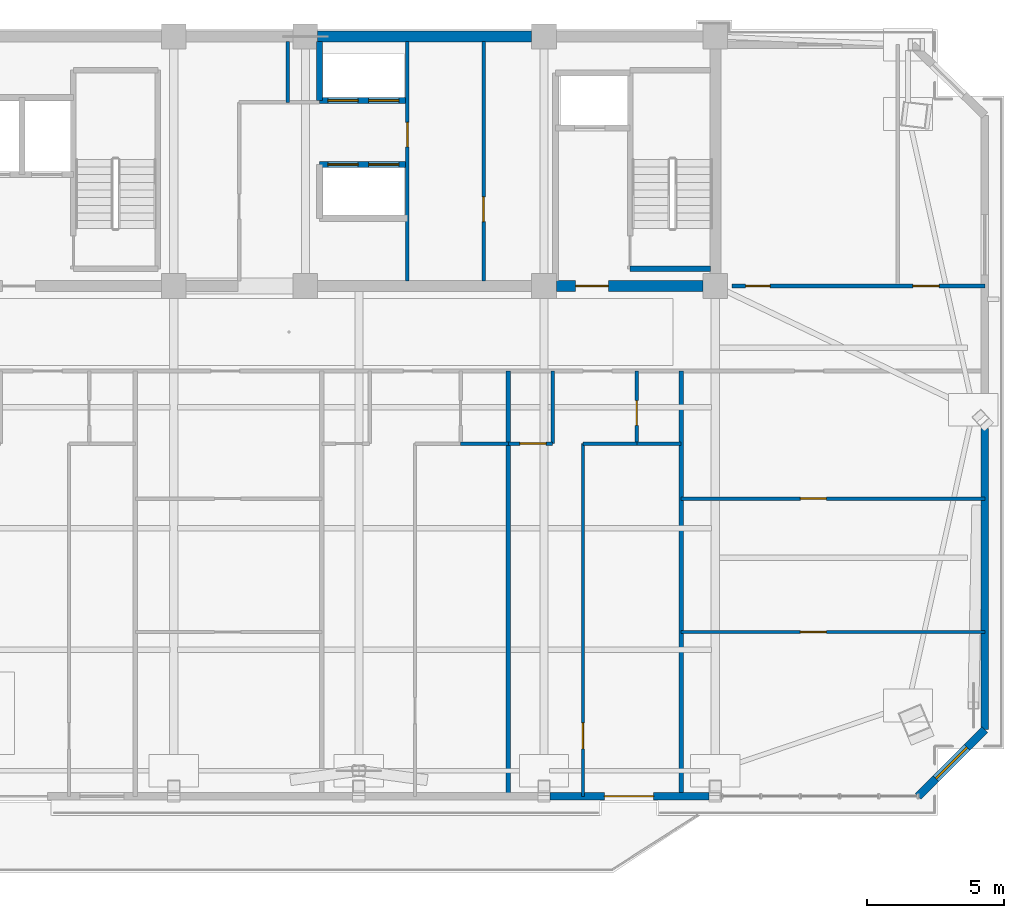
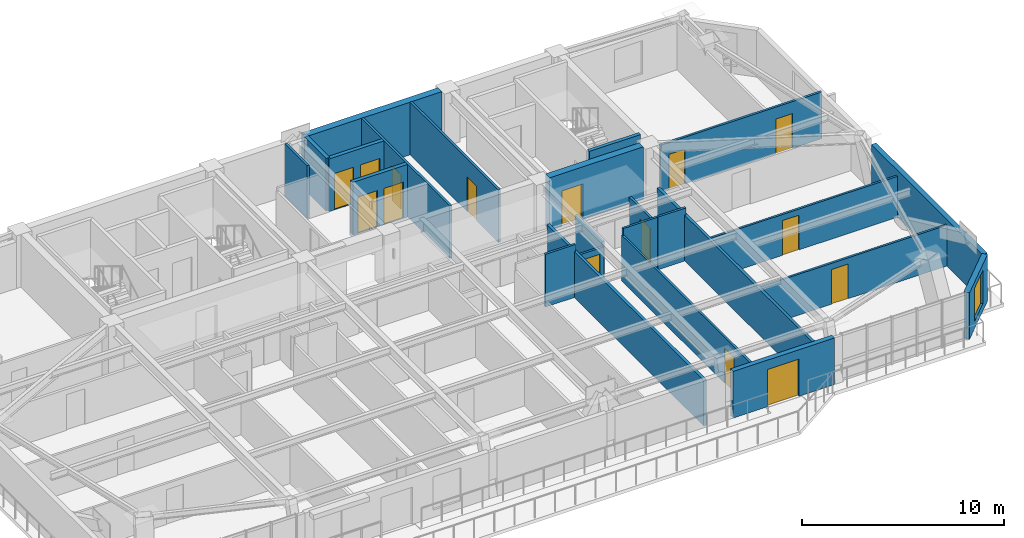
# One storey, part 9 of 15: 24 walls, 15 doors, 1 window, 16 openings.
"""IFC4 building model written with IfcOpenShell, lengths in metres."""

import ifcopenshell
import ifcopenshell.guid

model = None  # the IFC model being written
_history = None  # IfcOwnerHistory: only IFC2X3 demands one
_inside = {}  # id of a spatial element -> (the spatial element, [elements in it])
_under = {}  # id of a project, library or spatial element -> (it, [spatial elements below it])
_declared = {}  # id of a project -> (the project, [libraries it declares])
_typed = {}  # id of a type object -> (the type object, [elements of that type])
_made_of = {}  # id of a material, layer set ... -> (it, [elements and type objects made of it])


def new_model(schema):
    """Start an empty IFC model of exactly this schema.

    Asked for "IFC4X3", IfcOpenShell would pick the latest addendum, in which some entities
    have other attributes; the version numbers below select the first issue.
    IFC2X3 requires an IfcOwnerHistory on every rooted entity: one is made here for all.
    """
    global model, _history
    if schema == "IFC4X3":
        model = ifcopenshell.file(schema_version=(4, 3, 0, 0))
    else:
        model = ifcopenshell.file(schema=schema)
    _inside.clear()
    _under.clear()
    _declared.clear()
    _typed.clear()
    _made_of.clear()
    _history = None
    if model.schema == "IFC2X3":
        org = make("IfcOrganization", Name="unknown")
        user = make(
            "IfcPersonAndOrganization",
            ThePerson=make("IfcPerson", FamilyName="unknown"),
            TheOrganization=org,
        )
        app = make(
            "IfcApplication",
            ApplicationDeveloper=org,
            Version="unknown",
            ApplicationFullName="unknown",
            ApplicationIdentifier="unknown",
        )
        _history = make(
            "IfcOwnerHistory",
            OwningUser=user,
            OwningApplication=app,
            ChangeAction="ADDED",
            CreationDate=0,
        )
    return model


def make(cls, **values):
    """One entity of the class cls with the attributes given. An attribute that is None is left unset."""
    return model.create_entity(
        cls, **{name: value for name, value in values.items() if value is not None}
    )


def rooted(cls, **values):
    """An entity with a GlobalId (a new one), such as an element, a storey or a relation."""
    return make(cls, GlobalId=ifcopenshell.guid.new(), OwnerHistory=_history, **values)


def si_unit(unit_type, name, prefix=None):
    """IfcSIUnit, for example si_unit("LENGTHUNIT", "METRE", prefix="MILLI")."""
    return make("IfcSIUnit", UnitType=unit_type, Prefix=prefix, Name=name)


def assignment(units):
    """IfcUnitAssignment: the units of a project."""
    return None if units is None else make("IfcUnitAssignment", Units=units)


def point(xyz):
    """IfcCartesianPoint."""
    return None if xyz is None else make("IfcCartesianPoint", Coordinates=xyz)


def direction(xyz):
    """IfcDirection."""
    return None if xyz is None else make("IfcDirection", DirectionRatios=xyz)


def frame(location, z_axis=None, x_axis=None):
    """IfcAxis2Placement3D, a coordinate frame: its origin and axes. An axis left out is left unset."""
    return make(
        "IfcAxis2Placement3D",
        Location=point(location),
        Axis=direction(z_axis),
        RefDirection=direction(x_axis),
    )


def frame_2d(location, x_axis=None):
    """IfcAxis2Placement2D, a coordinate frame in the plane: its origin and x axis."""
    return make(
        "IfcAxis2Placement2D", Location=point(location), RefDirection=direction(x_axis)
    )


def origin():
    """The frame at (0, 0, 0) with its axes left unset."""
    return frame((0.0, 0.0, 0.0))


def place(relative_to, where):
    """IfcLocalPlacement: puts the frame where relative to a parent placement (None: the world)."""
    return make(
        "IfcLocalPlacement", PlacementRelTo=relative_to, RelativePlacement=where
    )


def context(
    kind, dimensions, precision=None, world=None, true_north=None, identifier=None
):
    """IfcGeometricRepresentationContext, for example the 3D "Model" context."""
    return make(
        "IfcGeometricRepresentationContext",
        ContextIdentifier=identifier,
        ContextType=kind,
        CoordinateSpaceDimension=dimensions,
        Precision=precision,
        WorldCoordinateSystem=world,
        TrueNorth=true_north,
    )


def subcontext(parent, identifier, kind, view, scale=None):
    """IfcGeometricRepresentationSubContext, for example "Body" below "Model"."""
    return make(
        "IfcGeometricRepresentationSubContext",
        ContextIdentifier=identifier,
        ContextType=kind,
        ParentContext=parent,
        TargetScale=scale,
        TargetView=view,
    )


def project(units=None, contexts=None):
    """IfcProject with its units and contexts."""
    return rooted(
        "IfcProject",
        Name="project",
        RepresentationContexts=contexts,
        UnitsInContext=assignment(units),
    )


def spatial(cls, under=None, at=None, **own):
    """A site, building, storey or space (cls), placed at a placement, below another one or the project."""
    s = rooted(cls, ObjectPlacement=at, **own)
    if under is not None:
        _under.setdefault(under.id(), (under, []))[1].append(s)
    return s


def profile(cls, at=None, kind="AREA", **sizes):
    """A parametric profile (cls). Its sizes go by their IFC names, for example OverallWidth=200.0."""
    return make(cls, ProfileType=kind, Position=at, **sizes)


def rectangle(**sizes):
    """IfcRectangleProfileDef."""
    return profile("IfcRectangleProfileDef", **sizes)


def extrude(swept, where, along, depth):
    """IfcExtrudedAreaSolid: the profile swept, set in the frame where, extruded along a direction by depth."""
    return make(
        "IfcExtrudedAreaSolid",
        SweptArea=swept,
        Position=where,
        ExtrudedDirection=direction(along),
        Depth=depth,
    )


def shape(context_of_items, identifier, shape_type, items):
    """IfcShapeRepresentation: the items that make up one representation, for example the "Body"."""
    return make(
        "IfcShapeRepresentation",
        ContextOfItems=context_of_items,
        RepresentationIdentifier=identifier,
        RepresentationType=shape_type,
        Items=items,
    )


def source(mapping_origin, context_of_items, identifier, shape_type, items):
    """IfcRepresentationMap: a shape defined once, which mapped items show again and again."""
    return make(
        "IfcRepresentationMap",
        MappingOrigin=mapping_origin,
        MappedRepresentation=shape(context_of_items, identifier, shape_type, items),
    )


def transform(
    local_origin,
    x_axis=None,
    y_axis=None,
    z_axis=None,
    scale=None,
    scale2=None,
    scale3=None,
    uniform=True,
):
    """IfcCartesianTransformationOperator3D, or its non-uniform kind. x_axis, y_axis, z_axis: its Axis1, 2, 3."""
    if uniform:
        return make(
            "IfcCartesianTransformationOperator3D",
            Axis1=direction(x_axis),
            Axis2=direction(y_axis),
            LocalOrigin=point(local_origin),
            Scale=scale,
            Axis3=direction(z_axis),
        )
    return make(
        "IfcCartesianTransformationOperator3DnonUniform",
        Axis1=direction(x_axis),
        Axis2=direction(y_axis),
        LocalOrigin=point(local_origin),
        Scale=scale,
        Axis3=direction(z_axis),
        Scale2=scale2,
        Scale3=scale3,
    )


def mapped(mapping_source, mapping_target):
    """IfcMappedItem: shows the shape of a source again, moved by a transform."""
    return make(
        "IfcMappedItem", MappingSource=mapping_source, MappingTarget=mapping_target
    )


def material(Name=None, Category=None):
    """IfcMaterial."""
    return make("IfcMaterial", Name=Name, Category=Category)


def layer(
    of_material, thickness, ventilated=None, Name=None, Category=None, Priority=None
):
    """IfcMaterialLayer: one layer of a wall or slab, of a material (None: an air gap)."""
    return make(
        "IfcMaterialLayer",
        Material=of_material,
        LayerThickness=thickness,
        IsVentilated=ventilated,
        Name=Name,
        Category=Category,
        Priority=Priority,
    )


def layer_set(layers, Name=None):
    """IfcMaterialLayerSet."""
    return make("IfcMaterialLayerSet", MaterialLayers=layers, LayerSetName=Name)


def made_of(thing, what):
    """Note that an element or type object is made of a material, layer set ...; save() writes the relation."""
    if what is not None:
        _made_of.setdefault(what.id(), (what, []))[1].append(thing)
    return thing


def type_object(cls, material=None, **own):
    """A type object (cls), such as IfcWallType, which elements share."""
    return made_of(rooted(cls, **own), material)


def element(
    cls,
    number,
    at=None,
    inside=None,
    cuts=None,
    type_object=None,
    material=None,
    context=None,
    identifier="Body",
    shape_type=None,
    held_by="IfcProductDefinitionShape",
    body=None,
    shapes=None,
    **own,
):
    """One element of the class cls, such as IfcWall. Its Tag is "e" and its number.

    at: its placement. inside: the storey or other place that contains it. cuts: it is an
    opening in that element (IfcRelVoidsElement). A single representation is given by context,
    identifier, shape_type and body (its items); several are given by shapes. held_by: the class
    of the entity that holds the representations. save() writes the other relations.
    """
    e = rooted(cls, Tag="e%d" % number, ObjectPlacement=at, **own)
    if body is not None:
        shapes = [shape(context, identifier, shape_type, body)]
    if shapes is not None:
        e.Representation = make(held_by, Representations=shapes)
    if inside is not None:
        _inside.setdefault(inside.id(), (inside, []))[1].append(e)
    if cuts is not None:
        rooted(
            "IfcRelVoidsElement", RelatingBuildingElement=cuts, RelatedOpeningElement=e
        )
    if type_object is not None:
        _typed.setdefault(type_object.id(), (type_object, []))[1].append(e)
    return made_of(e, material)


def fill(opening, filler):
    """IfcRelFillsElement: the door or window that sits in an opening."""
    return rooted(
        "IfcRelFillsElement",
        RelatingOpeningElement=opening,
        RelatedBuildingElement=filler,
    )


def aggregate(whole, parts):
    """IfcRelAggregates: a whole, such as a stair, and the parts it consists of."""
    return rooted("IfcRelAggregates", RelatingObject=whole, RelatedObjects=parts)


def save(model, path):
    """Write the relations noted so far, then the file.

    IfcRelAggregates (storeys below a building ...), IfcRelContainedInSpatialStructure (elements
    in a storey), IfcRelDefinesByType, IfcRelAssociatesMaterial and IfcRelDeclares: one each for
    every whole, place, type object, material and project.
    """
    for whole, parts in _under.values():
        aggregate(whole, parts)
    for where, things in _inside.values():
        rooted(
            "IfcRelContainedInSpatialStructure",
            RelatedElements=things,
            RelatingStructure=where,
        )
    for kind, things in _typed.values():
        rooted("IfcRelDefinesByType", RelatedObjects=things, RelatingType=kind)
    for what, things in _made_of.values():
        rooted("IfcRelAssociatesMaterial", RelatedObjects=things, RelatingMaterial=what)
    for by, libraries in _declared.values():
        rooted("IfcRelDeclares", RelatingContext=by, RelatedDefinitions=libraries)
    model.write(path)


model = new_model("IFC4")

# Units and contexts
model_context = context("Model", 3, precision=1e-05, world=origin(), true_north=direction((0.0, 1.0)))
body_context = subcontext(model_context, "Body", "Model", "MODEL_VIEW")
ifc_project = project(units=[si_unit("LENGTHUNIT", "METRE"), si_unit("AREAUNIT", "SQUARE_METRE"), si_unit("VOLUMEUNIT", "CUBIC_METRE"), si_unit("PLANEANGLEUNIT", "RADIAN"), si_unit("MASSUNIT", "GRAM", prefix="KILO")], contexts=[model_context])

# Site, building, storey
site_placement = place(None, origin())
site = spatial("IfcSite", under=ifc_project, at=site_placement, CompositionType="ELEMENT")
building_placement = place(site_placement, origin())
building = spatial("IfcBuilding", under=site, at=building_placement, Name="Giltprow Tower", CompositionType="ELEMENT")
storey_placement = place(building_placement, frame((0.0, 0.0, 300.60009765625)))
storey = spatial("IfcBuildingStorey", under=building, at=storey_placement, Name="L77", CompositionType="ELEMENT", Elevation=300.60009765625)

# Wall, opening, window
ifc_material_1 = material(Name="Precast concrete C40", Category="concrete")
ifc_layer_1 = layer(ifc_material_1, 0.300048828125, Name="Precast concrete C40")
ifc_layer_set_1 = layer_set([ifc_layer_1], Name="Precast concrete C40")
wall_type_1 = type_object("IfcWallType", Name="EW-NOTCH-CHAMFER-300", PredefinedType="SOLIDWALL", material=ifc_layer_set_1)
wall_1_placement = place(storey_placement, frame((57.945068359375, 18.841064453125, 0.0), z_axis=(0.0, 0.0, 1.0), x_axis=(0.707106781187, 0.707106781187, 0.0)))
wall_1 = element("IfcWall", 1, at=wall_1_placement, inside=storey, type_object=wall_type_1, Name="L77 Corner Notch Wall SE", PredefinedType="SOLIDWALL", context=body_context, shape_type="SweptSolid", body=[
    extrude(rectangle(XDim=3.437744140625, YDim=0.300048828125, at=frame_2d((1.71875, 0.0))), origin(), (0.0, 0.0, 1.0), 2.81494140625),
])
opening_1_placement = place(wall_1_placement, frame((0.9189453125, 0.0, 0.449951171875)))
opening_1 = element("IfcOpeningElement", 2, at=opening_1_placement, cuts=wall_1, Name="Opening WN17", PredefinedType="OPENING", context=body_context, shape_type="SweptSolid", body=[
    extrude(rectangle(XDim=1.60009765625, YDim=2.0, at=frame_2d((0.800048828125, 1.0))), frame((0.0, 0.159912109375, 0.0), z_axis=(0.0, -1.0, 0.0), x_axis=(1.0, 0.0, 0.0)), (0.0, 0.0, 1.0), 0.320068359375),
])
ifc_material_2 = material(Name="Insulated glass", Category="glass")
window_type = type_object("IfcWindowType", Name="WN-COR-1600x2000", PartitioningType="SINGLE_PANEL", PredefinedType="WINDOW", material=ifc_material_2)
shared_shape_1 = source(origin(), body_context, "Body", "SweptSolid", [
    extrude(rectangle(XDim=1.60009765625, YDim=2.0, at=frame_2d((0.800048828125, 1.0))), frame((0.0, 0.030029296875, 0.0), z_axis=(0.0, -1.0, 0.0), x_axis=(1.0, 0.0, 0.0)), (0.0, 0.0, 1.0), 0.06005859375),
])
window_placement = place(opening_1_placement, origin())
window = element("IfcWindow", 3, at=window_placement, inside=storey, type_object=window_type, Name="L77 Corner Notch Window SE", OverallHeight=2.0, OverallWidth=1.60009765625, PartitioningType="SINGLE_PANEL", PredefinedType="WINDOW", context=body_context, shape_type="MappedRepresentation", body=[
    mapped(shared_shape_1, transform((0.0, 0.0, 0.0), x_axis=(1.0, 0.0, 0.0), y_axis=(0.0, 1.0, 0.0), z_axis=(0.0, 0.0, 1.0), scale=1.0)),
])
fill(opening_1, window)

# Wall, opening, door
ifc_layer_2 = layer(ifc_material_1, 0.280029296875, Name="Precast concrete C40")
ifc_layer_set_2 = layer_set([ifc_layer_2], Name="Precast concrete C40")
wall_type_2 = type_object("IfcWallType", Name="EW-TOW-BRONZE-280", PredefinedType="SOLIDWALL", material=ifc_layer_set_2)
wall_2_placement = place(storey_placement, frame((44.52490234375, 18.841064453125, 0.0), z_axis=(0.0, 0.0, 1.0), x_axis=(1.0, 0.0, 0.0)))
wall_2 = element("IfcWall", 4, at=wall_2_placement, inside=storey, type_object=wall_type_2, Name="L77 South Expressed Frame Wall 5", PredefinedType="SOLIDWALL", context=body_context, shape_type="SweptSolid", body=[
    extrude(rectangle(XDim=5.800048828125, YDim=0.280029296875, at=frame_2d((2.89990234375, 0.0))), origin(), (0.0, 0.0, 1.0), 2.81494140625),
])
opening_2_placement = place(wall_2_placement, frame((1.97509765625, 0.0, 0.0)))
opening_2 = element("IfcOpeningElement", 5, at=opening_2_placement, cuts=wall_2, Name="Opening ED25", PredefinedType="OPENING", context=body_context, shape_type="SweptSolid", body=[
    extrude(rectangle(XDim=1.800048828125, YDim=2.25, at=frame_2d((0.89990234375, 1.125))), frame((0.0, 0.14990234375, 0.0), z_axis=(0.0, -1.0, 0.0), x_axis=(1.0, 0.0, 0.0)), (0.0, 0.0, 1.0), 0.300048828125),
])
ifc_material_3 = material(Name="Anodized bronze and glass", Category="glass")
door_type_1 = type_object("IfcDoorType", Name="DR-BALC-SLIDE-1800", OperationType="SLIDING_TO_LEFT", PredefinedType="DOOR", material=ifc_material_3)
shared_shape_2 = source(origin(), body_context, "Body", "SweptSolid", [
    extrude(rectangle(XDim=1.800048828125, YDim=2.25, at=frame_2d((0.89990234375, 1.125))), frame((0.0, 0.02490234375, 0.0), z_axis=(0.0, -1.0, 0.0), x_axis=(1.0, 0.0, 0.0)), (0.0, 0.0, 1.0), 0.050048828125),
])
door_1_placement = place(opening_2_placement, origin())
door_1 = element("IfcDoor", 6, at=door_1_placement, inside=storey, type_object=door_type_1, Name="L77 Waterfront Balcony Sliding Door 2", OperationType="SLIDING_TO_LEFT", OverallHeight=2.25, OverallWidth=1.800048828125, PredefinedType="DOOR", context=body_context, shape_type="MappedRepresentation", body=[
    mapped(shared_shape_2, transform((0.0, 0.0, 0.0), x_axis=(1.0, 0.0, 0.0), y_axis=(0.0, 1.0, 0.0), z_axis=(0.0, 0.0, 1.0), scale=1.0)),
])
fill(opening_2, door_1)

# Walls
wall_3_placement = place(storey_placement, frame((60.3759765625, 21.27197265625, 0.0), z_axis=(0.0, 0.0, 1.0), x_axis=(0.0, 1.0, 0.0)))
element("IfcWall", 7, at=wall_3_placement, inside=storey, type_object=wall_type_2, Name="L77 E Wing Masonry Wall 1", PredefinedType="SOLIDWALL", context=body_context, shape_type="SweptSolid", body=[
    extrude(rectangle(XDim=10.97412109375, YDim=0.280029296875, at=frame_2d((5.487060546875, 0.0))), origin(), (0.0, 0.0, 1.0), 2.81494140625),
])
ifc_material_4 = material(Name="Gypsum stud partition", Category="gypsum")
ifc_layer_3 = layer(ifc_material_4, 0.159912109375, Name="Gypsum stud partition")
ifc_layer_set_3 = layer_set([ifc_layer_3], Name="Gypsum stud partition")
wall_type_3 = type_object("IfcWallType", Name="IW-DEMISE-160", PredefinedType="PARTITIONING", material=ifc_layer_set_3)
for number, where, z_axis, x_axis, name in (
    (8, (43.0, 18.841064453125, 0.0), (0.0, 0.0, 1.0), (0.0, 1.0, 0.0), "L77 Apartment Party Wall 4"),
    (9, (49.300048828125, 18.841064453125, 0.0), (0.0, 0.0, 1.0), (0.0, 1.0, 0.0), "L77 Apartment Party Wall 5"),
):
    element("IfcWall", number, at=place(storey_placement, frame(where, z_axis=z_axis, x_axis=x_axis)), inside=storey, type_object=wall_type_3, Name=name, PredefinedType="PARTITIONING", context=body_context, shape_type="SweptSolid", body=[
        extrude(rectangle(XDim=15.509033203125, YDim=0.159912109375, at=frame_2d((7.75439453125, 0.0))), origin(), (0.0, 0.0, 1.0), 2.77001953125),
    ])
ifc_layer_4 = layer(ifc_material_4, 0.1201171875, Name="Gypsum stud partition")
ifc_layer_set_4 = layer_set([ifc_layer_4], Name="Gypsum stud partition")
wall_type_4 = type_object("IfcWallType", Name="IW-ROOM-120", PredefinedType="PARTITIONING", material=ifc_layer_set_4)
wall_4_placement = place(storey_placement, frame((45.719970703125, 31.699951171875, 0.0), z_axis=(0.0, 0.0, 1.0), x_axis=(1.0, 0.0, 0.0)))
element("IfcWall", 10, at=wall_4_placement, inside=storey, type_object=wall_type_4, Name="L77 Unit 3 Bedroom North Wall", PredefinedType="PARTITIONING", context=body_context, shape_type="SweptSolid", body=[
    extrude(rectangle(XDim=1.965087890625, YDim=0.1201171875, at=frame_2d((0.982421875, 0.0))), origin(), (0.0, 0.0, 1.0), 3.184814453125),
])

# Wall, opening, door
wall_5_placement = place(storey_placement, frame((45.719970703125, 18.841064453125, 0.0), z_axis=(0.0, 0.0, 1.0), x_axis=(0.0, 1.0, 0.0)))
wall_5 = element("IfcWall", 11, at=wall_5_placement, inside=storey, type_object=wall_type_4, Name="L77 Unit 3 Bedroom Wall", PredefinedType="PARTITIONING", context=body_context, shape_type="SweptSolid", body=[
    extrude(rectangle(XDim=12.85888671875, YDim=0.1201171875, at=frame_2d((6.429443359375, 0.0))), origin(), (0.0, 0.0, 1.0), 2.77001953125),
])
opening_3_placement = place(wall_5_placement, frame((1.73095703125, 0.0, 0.0)))
opening_3 = element("IfcOpeningElement", 12, at=opening_3_placement, cuts=wall_5, Name="Opening ID11", PredefinedType="OPENING", context=body_context, shape_type="SweptSolid", body=[
    extrude(rectangle(XDim=0.949951171875, YDim=2.10009765625, at=frame_2d((0.47509765625, 1.050048828125))), frame((0.0, 0.070068359375, 0.0), z_axis=(0.0, -1.0, 0.0), x_axis=(1.0, 0.0, 0.0)), (0.0, 0.0, 1.0), 0.14013671875),
])
ifc_material_5 = material(Name="Engineered timber", Category="wood")
door_type_2 = type_object("IfcDoorType", Name="DR-ROOM-950", OperationType="SINGLE_SWING_RIGHT", PredefinedType="DOOR", material=ifc_material_5)
shared_shape_3 = source(origin(), body_context, "Body", "SweptSolid", [
    extrude(rectangle(XDim=0.949951171875, YDim=2.10009765625, at=frame_2d((0.47509765625, 1.050048828125))), frame((0.0, 0.02490234375, 0.0), z_axis=(0.0, -1.0, 0.0), x_axis=(1.0, 0.0, 0.0)), (0.0, 0.0, 1.0), 0.050048828125),
])
door_2_placement = place(opening_3_placement, origin())
door_2 = element("IfcDoor", 13, at=door_2_placement, inside=storey, type_object=door_type_2, Name="L77 Unit 3 Primary Bedroom Door", OperationType="SINGLE_SWING_RIGHT", OverallHeight=2.10009765625, OverallWidth=0.949951171875, PredefinedType="DOOR", context=body_context, shape_type="MappedRepresentation", body=[
    mapped(shared_shape_3, transform((0.0, 0.0, 0.0), x_axis=(1.0, 0.0, 0.0), y_axis=(0.0, 1.0, 0.0), z_axis=(0.0, 0.0, 1.0), scale=1.0)),
])
fill(opening_3, door_2)

wall_6_placement = place(storey_placement, frame((49.300048828125, 24.8330078125, 0.0), z_axis=(0.0, 0.0, 1.0), x_axis=(1.0, 0.0, 0.0)))
wall_6 = element("IfcWall", 14, at=wall_6_placement, inside=storey, type_object=wall_type_4, Name="L77 Special Split 1", PredefinedType="PARTITIONING", context=body_context, shape_type="SweptSolid", body=[
    extrude(rectangle(XDim=11.075927734375, YDim=0.1201171875, at=frame_2d((5.5380859375, 0.0))), origin(), (0.0, 0.0, 1.0), 2.469970703125),
])
opening_4_placement = place(wall_6_placement, frame((4.35009765625, 0.0, 0.0)))
opening_4 = element("IfcOpeningElement", 15, at=opening_4_placement, cuts=wall_6, Name="Opening ID11", PredefinedType="OPENING", context=body_context, shape_type="SweptSolid", body=[
    extrude(rectangle(XDim=0.949951171875, YDim=2.10009765625, at=frame_2d((0.47509765625, 1.050048828125))), frame((0.0, 0.070068359375, 0.0), z_axis=(0.0, -1.0, 0.0), x_axis=(1.0, 0.0, 0.0)), (0.0, 0.0, 1.0), 0.14013671875),
])
door_3_placement = place(opening_4_placement, origin())
door_3 = element("IfcDoor", 16, at=door_3_placement, inside=storey, type_object=door_type_2, Name="L77 Sky Yoga Gym 3 South Door", OperationType="SINGLE_SWING_LEFT", OverallHeight=2.10009765625, OverallWidth=0.949951171875, PredefinedType="DOOR", context=body_context, shape_type="MappedRepresentation", body=[
    mapped(shared_shape_3, transform((0.0, 0.0, 0.0), x_axis=(1.0, 0.0, 0.0), y_axis=(0.0, 1.0, 0.0), z_axis=(0.0, 0.0, 1.0), scale=1.0)),
])
fill(opening_4, door_3)

wall_7_placement = place(storey_placement, frame((49.300048828125, 29.695068359375, 0.0), z_axis=(0.0, 0.0, 1.0), x_axis=(1.0, 0.0, 0.0)))
wall_7 = element("IfcWall", 17, at=wall_7_placement, inside=storey, type_object=wall_type_4, Name="L77 Special Split 2", PredefinedType="PARTITIONING", context=body_context, shape_type="SweptSolid", body=[
    extrude(rectangle(XDim=11.075927734375, YDim=0.1201171875, at=frame_2d((5.5380859375, 0.0))), origin(), (0.0, 0.0, 1.0), 2.469970703125),
])
opening_5_placement = place(wall_7_placement, frame((4.35009765625, 0.0, 0.0)))
opening_5 = element("IfcOpeningElement", 18, at=opening_5_placement, cuts=wall_7, Name="Opening ID11", PredefinedType="OPENING", context=body_context, shape_type="SweptSolid", body=[
    extrude(rectangle(XDim=0.949951171875, YDim=2.10009765625, at=frame_2d((0.47509765625, 1.050048828125))), frame((0.0, 0.070068359375, 0.0), z_axis=(0.0, -1.0, 0.0), x_axis=(1.0, 0.0, 0.0)), (0.0, 0.0, 1.0), 0.14013671875),
])
door_4_placement = place(opening_5_placement, origin())
door_4 = element("IfcDoor", 19, at=door_4_placement, inside=storey, type_object=door_type_2, Name="L77 Sky Yoga Gym 3 Mid Door", OperationType="SINGLE_SWING_RIGHT", OverallHeight=2.10009765625, OverallWidth=0.949951171875, PredefinedType="DOOR", context=body_context, shape_type="MappedRepresentation", body=[
    mapped(shared_shape_3, transform((0.0, 0.0, 0.0), x_axis=(1.0, 0.0, 0.0), y_axis=(0.0, 1.0, 0.0), z_axis=(0.0, 0.0, 1.0), scale=1.0)),
])
fill(opening_5, door_4)

# Wall, openings, doors
ifc_material_6 = material(Name="Concrete C40", Category="concrete")
ifc_layer_5 = layer(ifc_material_6, 0.219970703125, Name="Concrete C40")
ifc_layer_set_5 = layer_set([ifc_layer_5], Name="Concrete C40")
wall_type_5 = type_object("IfcWallType", Name="IW-SHAFT-220", PredefinedType="SOLIDWALL", material=ifc_layer_set_5)
wall_8_placement = place(storey_placement, frame((36.1201171875, 44.219970703125, 0.0), z_axis=(0.0, 0.0, 1.0), x_axis=(1.0, 0.0, 0.0)))
wall_8 = element("IfcWall", 20, at=wall_8_placement, inside=storey, type_object=wall_type_5, Name="L77 High-Rise Lift Shaft Front Wall N", PredefinedType="SOLIDWALL", context=body_context, shape_type="SweptSolid", body=[
    extrude(rectangle(XDim=3.199951171875, YDim=0.219970703125, at=frame_2d((1.60009765625, 0.0))), origin(), (0.0, 0.0, 1.0), 3.184814453125),
])
opening_6_placement = place(wall_8_placement, frame((0.300048828125, 0.0, 0.0)))
opening_6 = element("IfcOpeningElement", 21, at=opening_6_placement, cuts=wall_8, Name="Opening LD-11", PredefinedType="OPENING", context=body_context, shape_type="SweptSolid", body=[
    extrude(rectangle(XDim=1.10009765625, YDim=2.199951171875, at=frame_2d((0.550048828125, 1.10009765625))), frame((0.0, 0.119873046875, 0.0), z_axis=(0.0, -1.0, 0.0), x_axis=(1.0, 0.0, 0.0)), (0.0, 0.0, 1.0), 0.239990234375),
])
opening_7_placement = place(wall_8_placement, frame((1.7900390625, 0.0, 0.0)))
opening_7 = element("IfcOpeningElement", 22, at=opening_7_placement, cuts=wall_8, Name="Opening LD-11", PredefinedType="OPENING", context=body_context, shape_type="SweptSolid", body=[
    extrude(rectangle(XDim=1.10009765625, YDim=2.199951171875, at=frame_2d((0.550048828125, 1.10009765625))), frame((0.0, 0.119873046875, 0.0), z_axis=(0.0, -1.0, 0.0), x_axis=(1.0, 0.0, 0.0)), (0.0, 0.0, 1.0), 0.239990234375),
])
ifc_material_7 = material(Name="Stainless steel", Category="steel")
door_type_3 = type_object("IfcDoorType", Name="DR-LIFT-LD1100", OperationType="SLIDING_TO_LEFT", PredefinedType="DOOR", material=ifc_material_7)
shared_shape_4 = source(origin(), body_context, "Body", "SweptSolid", [
    extrude(rectangle(XDim=1.10009765625, YDim=2.199951171875, at=frame_2d((0.550048828125, 1.10009765625))), frame((0.0, 0.02490234375, 0.0), z_axis=(0.0, -1.0, 0.0), x_axis=(1.0, 0.0, 0.0)), (0.0, 0.0, 1.0), 0.050048828125),
])
door_5_placement = place(opening_6_placement, origin())
door_5 = element("IfcDoor", 23, at=door_5_placement, inside=storey, type_object=door_type_3, Name="L77 PL-H1 Landing Door", OperationType="SLIDING_TO_LEFT", OverallHeight=2.199951171875, OverallWidth=1.10009765625, PredefinedType="DOOR", context=body_context, shape_type="MappedRepresentation", body=[
    mapped(shared_shape_4, transform((0.0, 0.0, 0.0), x_axis=(1.0, 0.0, 0.0), y_axis=(0.0, 1.0, 0.0), z_axis=(0.0, 0.0, 1.0), scale=1.0)),
])
fill(opening_6, door_5)
door_6_placement = place(opening_7_placement, origin())
door_6 = element("IfcDoor", 24, at=door_6_placement, inside=storey, type_object=door_type_3, Name="L77 PL-H2 Landing Door", OperationType="SLIDING_TO_LEFT", OverallHeight=2.199951171875, OverallWidth=1.10009765625, PredefinedType="DOOR", context=body_context, shape_type="MappedRepresentation", body=[
    mapped(shared_shape_4, transform((0.0, 0.0, 0.0), x_axis=(1.0, 0.0, 0.0), y_axis=(0.0, 1.0, 0.0), z_axis=(0.0, 0.0, 1.0), scale=1.0)),
])
fill(opening_7, door_6)

wall_9_placement = place(storey_placement, frame((36.1201171875, 41.8798828125, 0.0), z_axis=(0.0, 0.0, 1.0), x_axis=(1.0, 0.0, 0.0)))
wall_9 = element("IfcWall", 25, at=wall_9_placement, inside=storey, type_object=wall_type_5, Name="L77 High-Rise Lift Shaft Front Wall S", PredefinedType="SOLIDWALL", context=body_context, shape_type="SweptSolid", body=[
    extrude(rectangle(XDim=3.199951171875, YDim=0.219970703125, at=frame_2d((1.60009765625, 0.0))), origin(), (0.0, 0.0, 1.0), 3.184814453125),
])
opening_8_placement = place(wall_9_placement, frame((0.300048828125, 0.0, 0.0)))
opening_8 = element("IfcOpeningElement", 26, at=opening_8_placement, cuts=wall_9, Name="Opening LD-11", PredefinedType="OPENING", context=body_context, shape_type="SweptSolid", body=[
    extrude(rectangle(XDim=1.10009765625, YDim=2.199951171875, at=frame_2d((0.550048828125, 1.10009765625))), frame((0.0, 0.119873046875, 0.0), z_axis=(0.0, -1.0, 0.0), x_axis=(1.0, 0.0, 0.0)), (0.0, 0.0, 1.0), 0.239990234375),
])
opening_9_placement = place(wall_9_placement, frame((1.7900390625, 0.0, 0.0)))
opening_9 = element("IfcOpeningElement", 27, at=opening_9_placement, cuts=wall_9, Name="Opening LD-11", PredefinedType="OPENING", context=body_context, shape_type="SweptSolid", body=[
    extrude(rectangle(XDim=1.10009765625, YDim=2.199951171875, at=frame_2d((0.550048828125, 1.10009765625))), frame((0.0, 0.119873046875, 0.0), z_axis=(0.0, -1.0, 0.0), x_axis=(1.0, 0.0, 0.0)), (0.0, 0.0, 1.0), 0.239990234375),
])
door_7_placement = place(opening_8_placement, origin())
door_7 = element("IfcDoor", 28, at=door_7_placement, inside=storey, type_object=door_type_3, Name="L77 PL-H3 Landing Door", OperationType="SLIDING_TO_LEFT", OverallHeight=2.199951171875, OverallWidth=1.10009765625, PredefinedType="DOOR", context=body_context, shape_type="MappedRepresentation", body=[
    mapped(shared_shape_4, transform((0.0, 0.0, 0.0), x_axis=(1.0, 0.0, 0.0), y_axis=(0.0, 1.0, 0.0), z_axis=(0.0, 0.0, 1.0), scale=1.0)),
])
fill(opening_8, door_7)
door_8_placement = place(opening_9_placement, origin())
door_8 = element("IfcDoor", 29, at=door_8_placement, inside=storey, type_object=door_type_3, Name="L77 PL-H4 Landing Door", OperationType="SLIDING_TO_LEFT", OverallHeight=2.199951171875, OverallWidth=1.10009765625, PredefinedType="DOOR", context=body_context, shape_type="MappedRepresentation", body=[
    mapped(shared_shape_4, transform((0.0, 0.0, 0.0), x_axis=(1.0, 0.0, 0.0), y_axis=(0.0, 1.0, 0.0), z_axis=(0.0, 0.0, 1.0), scale=1.0)),
])
fill(opening_9, door_8)

# Walls
wall_10_placement = place(storey_placement, frame((36.1201171875, 44.219970703125, 0.0), z_axis=(0.0, 0.0, 1.0), x_axis=(0.0, 1.0, 0.0)))
element("IfcWall", 30, at=wall_10_placement, inside=storey, type_object=wall_type_5, Name="L77 High-Rise North Lift West Closure", PredefinedType="SOLIDWALL", context=body_context, shape_type="SweptSolid", body=[
    extrude(rectangle(XDim=2.150146484375, YDim=0.219970703125, at=frame_2d((1.0751953125, 0.0))), origin(), (0.0, 0.0, 1.0), 3.184814453125),
])
ifc_layer_6 = layer(ifc_material_6, 0.199951171875, Name="Concrete C40")
ifc_layer_set_6 = layer_set([ifc_layer_6], Name="Concrete C40")
wall_type_6 = type_object("IfcWallType", Name="IW-STAIR-200", PredefinedType="SOLIDWALL", material=ifc_layer_set_6)
wall_11_placement = place(storey_placement, frame((47.43994140625, 38.070068359375, 0.0), z_axis=(0.0, 0.0, 1.0), x_axis=(1.0, 0.0, 0.0)))
element("IfcWall", 31, at=wall_11_placement, inside=storey, type_object=wall_type_6, Name="L77 Stair ST-3 South Bearing Wall", PredefinedType="SOLIDWALL", context=body_context, shape_type="SweptSolid", body=[
    extrude(rectangle(XDim=2.93017578125, YDim=0.199951171875, at=frame_2d((1.465087890625, 0.0))), origin(), (0.0, 0.0, 1.0), 3.39990234375),
])
ifc_material_8 = material(Name="Concrete C30", Category="concrete")
ifc_layer_7 = layer(ifc_material_8, 0.1298828125, Name="Concrete C30")
ifc_layer_set_7 = layer_set([ifc_layer_7], Name="Concrete C30")
wall_type_7 = type_object("IfcWallType", Name="IW-WET-130", PredefinedType="PARTITIONING", material=ifc_layer_set_7)
wall_12_placement = place(storey_placement, frame((34.949951171875, 44.14990234375, 0.0), z_axis=(0.0, 0.0, 1.0), x_axis=(0.0, 1.0, 0.0)))
element("IfcWall", 32, at=wall_12_placement, inside=storey, type_object=wall_type_7, Name="L77 Reclaimed West Pocket Wall E", PredefinedType="PARTITIONING", context=body_context, shape_type="SweptSolid", body=[
    extrude(rectangle(XDim=2.22021484375, YDim=0.1298828125, at=frame_2d((1.110107421875, 0.0))), origin(), (0.0, 0.0, 1.0), 3.184814453125),
])

# Wall, opening, door
wall_13_placement = place(storey_placement, frame((39.320068359375, 37.6298828125, 0.0), z_axis=(0.0, 0.0, 1.0), x_axis=(0.0, 1.0, 0.0)))
wall_13 = element("IfcWall", 33, at=wall_13_placement, inside=storey, type_object=wall_type_7, Name="L77 Reclaimed East Core Wall", PredefinedType="PARTITIONING", context=body_context, shape_type="SweptSolid", body=[
    extrude(rectangle(XDim=8.740234375, YDim=0.1298828125, at=frame_2d((4.3701171875, 0.0))), origin(), (0.0, 0.0, 1.0), 3.184814453125),
])
opening_10_placement = place(wall_13_placement, frame((4.889892578125, 0.0, 0.0)))
opening_10 = element("IfcOpeningElement", 34, at=opening_10_placement, cuts=wall_13, Name="Opening ID35", PredefinedType="OPENING", context=body_context, shape_type="SweptSolid", body=[
    extrude(rectangle(XDim=0.89990234375, YDim=2.10009765625, at=frame_2d((0.449951171875, 1.050048828125))), frame((0.0, 0.074951171875, 0.0), z_axis=(0.0, -1.0, 0.0), x_axis=(1.0, 0.0, 0.0)), (0.0, 0.0, 1.0), 0.14990234375),
])
ifc_material_9 = material(Name="Steel fire leaf", Category="steel")
door_type_4 = type_object("IfcDoorType", Name="DR-SHAFT-900", OperationType="SINGLE_SWING_LEFT", PredefinedType="DOOR", material=ifc_material_9)
shared_shape_5 = source(origin(), body_context, "Body", "SweptSolid", [
    extrude(rectangle(XDim=0.89990234375, YDim=2.10009765625, at=frame_2d((0.449951171875, 1.050048828125))), frame((0.0, 0.02490234375, 0.0), z_axis=(0.0, -1.0, 0.0), x_axis=(1.0, 0.0, 0.0)), (0.0, 0.0, 1.0), 0.050048828125),
])
door_9_placement = place(opening_10_placement, origin())
door_9 = element("IfcDoor", 35, at=door_9_placement, inside=storey, type_object=door_type_4, Name="L77 Core Laundry Room Door", OperationType="SINGLE_SWING_LEFT", OverallHeight=2.10009765625, OverallWidth=0.89990234375, PredefinedType="DOOR", context=body_context, shape_type="MappedRepresentation", body=[
    mapped(shared_shape_5, transform((0.0, 0.0, 0.0), x_axis=(1.0, 0.0, 0.0), y_axis=(0.0, 1.0, 0.0), z_axis=(0.0, 0.0, 1.0), scale=1.0)),
])
fill(opening_10, door_9)

wall_14_placement = place(storey_placement, frame((42.10009765625, 37.6298828125, 0.0), z_axis=(0.0, 0.0, 1.0), x_axis=(0.0, 1.0, 0.0)))
wall_14 = element("IfcWall", 36, at=wall_14_placement, inside=storey, type_object=wall_type_7, Name="L77 East Core Vertical Divider", PredefinedType="PARTITIONING", context=body_context, shape_type="SweptSolid", body=[
    extrude(rectangle(XDim=8.740234375, YDim=0.1298828125, at=frame_2d((4.3701171875, 0.0))), origin(), (0.0, 0.0, 1.0), 3.184814453125),
])
opening_11_placement = place(wall_14_placement, frame((2.169921875, 0.0, 0.0)))
opening_11 = element("IfcOpeningElement", 37, at=opening_11_placement, cuts=wall_14, Name="Opening ID35", PredefinedType="OPENING", context=body_context, shape_type="SweptSolid", body=[
    extrude(rectangle(XDim=0.89990234375, YDim=2.10009765625, at=frame_2d((0.449951171875, 1.050048828125))), frame((0.0, 0.074951171875, 0.0), z_axis=(0.0, -1.0, 0.0), x_axis=(1.0, 0.0, 0.0)), (0.0, 0.0, 1.0), 0.14990234375),
])
door_10_placement = place(opening_11_placement, origin())
door_10 = element("IfcDoor", 38, at=door_10_placement, inside=storey, type_object=door_type_4, Name="L77 Core Trunk Room Inner Door", OperationType="SINGLE_SWING_RIGHT", OverallHeight=2.10009765625, OverallWidth=0.89990234375, PredefinedType="DOOR", context=body_context, shape_type="MappedRepresentation", body=[
    mapped(shared_shape_5, transform((0.0, 0.0, 0.0), x_axis=(1.0, 0.0, 0.0), y_axis=(0.0, 1.0, 0.0), z_axis=(0.0, 0.0, 1.0), scale=1.0)),
])
fill(opening_11, door_10)

# Wall
wall_15_placement = place(storey_placement, frame((41.260009765625, 31.699951171875, 0.0), z_axis=(0.0, 0.0, 1.0), x_axis=(1.0, 0.0, 0.0)))
element("IfcWall", 39, at=wall_15_placement, inside=storey, type_object=wall_type_7, Name="L77 Unit 2 Bathroom South Wall", PredefinedType="PARTITIONING", context=body_context, shape_type="SweptSolid", body=[
    extrude(rectangle(XDim=1.739990234375, YDim=0.1298828125, at=frame_2d((0.8701171875, 0.0))), origin(), (0.0, 0.0, 1.0), 3.184814453125),
])

# Wall, opening, door
wall_16_placement = place(storey_placement, frame((43.0, 31.699951171875, 0.0), z_axis=(0.0, 0.0, 1.0), x_axis=(1.0, 0.0, 0.0)))
wall_16 = element("IfcWall", 40, at=wall_16_placement, inside=storey, type_object=wall_type_7, Name="L77 Unit 3 Kitchen South Wall", PredefinedType="PARTITIONING", context=body_context, shape_type="SweptSolid", body=[
    extrude(rectangle(XDim=1.614990234375, YDim=0.1298828125, at=frame_2d((0.8076171875, 0.0))), origin(), (0.0, 0.0, 1.0), 2.469970703125),
])
opening_12_placement = place(wall_16_placement, frame((0.425048828125, 0.0, 0.0)))
opening_12 = element("IfcOpeningElement", 41, at=opening_12_placement, cuts=wall_16, Name="Opening ID11", PredefinedType="OPENING", context=body_context, shape_type="SweptSolid", body=[
    extrude(rectangle(XDim=0.949951171875, YDim=2.10009765625, at=frame_2d((0.47509765625, 1.050048828125))), frame((0.0, 0.074951171875, 0.0), z_axis=(0.0, -1.0, 0.0), x_axis=(1.0, 0.0, 0.0)), (0.0, 0.0, 1.0), 0.14990234375),
])
door_11_placement = place(opening_12_placement, origin())
door_11 = element("IfcDoor", 42, at=door_11_placement, inside=storey, type_object=door_type_2, Name="L77 Unit 3 Kitchen Door", OperationType="SINGLE_SWING_RIGHT", OverallHeight=2.10009765625, OverallWidth=0.949951171875, PredefinedType="DOOR", context=body_context, shape_type="MappedRepresentation", body=[
    mapped(shared_shape_3, transform((0.0, 0.0, 0.0), x_axis=(1.0, 0.0, 0.0), y_axis=(0.0, 1.0, 0.0), z_axis=(0.0, 0.0, 1.0), scale=1.0)),
])
fill(opening_12, door_11)

# Walls
wall_17_placement = place(storey_placement, frame((44.614990234375, 31.699951171875, 0.0), z_axis=(0.0, 0.0, 1.0), x_axis=(0.0, 1.0, 0.0)))
element("IfcWall", 43, at=wall_17_placement, inside=storey, type_object=wall_type_7, Name="L77 Unit 3 Kitchen East Wall", PredefinedType="PARTITIONING", context=body_context, shape_type="SweptSolid", body=[
    extrude(rectangle(XDim=2.650146484375, YDim=0.1298828125, at=frame_2d((1.3251953125, 0.0))), origin(), (0.0, 0.0, 1.0), 2.77001953125),
])
wall_18_placement = place(storey_placement, frame((47.68505859375, 31.699951171875, 0.0), z_axis=(0.0, 0.0, 1.0), x_axis=(1.0, 0.0, 0.0)))
element("IfcWall", 44, at=wall_18_placement, inside=storey, type_object=wall_type_7, Name="L77 Unit 3 Bathroom South Wall", PredefinedType="PARTITIONING", context=body_context, shape_type="SweptSolid", body=[
    extrude(rectangle(XDim=1.614990234375, YDim=0.1298828125, at=frame_2d((0.8076171875, 0.0))), origin(), (0.0, 0.0, 1.0), 3.184814453125),
])

# Wall, opening, door
wall_19_placement = place(storey_placement, frame((47.68505859375, 31.699951171875, 0.0), z_axis=(0.0, 0.0, 1.0), x_axis=(0.0, 1.0, 0.0)))
wall_19 = element("IfcWall", 45, at=wall_19_placement, inside=storey, type_object=wall_type_7, Name="L77 Unit 3 Bathroom West Wall", PredefinedType="PARTITIONING", context=body_context, shape_type="SweptSolid", body=[
    extrude(rectangle(XDim=2.650146484375, YDim=0.1298828125, at=frame_2d((1.3251953125, 0.0))), origin(), (0.0, 0.0, 1.0), 2.77001953125),
])
opening_13_placement = place(wall_19_placement, frame((0.669921875, 0.0, 0.0)))
opening_13 = element("IfcOpeningElement", 46, at=opening_13_placement, cuts=wall_19, Name="Opening ID15", PredefinedType="OPENING", context=body_context, shape_type="SweptSolid", body=[
    extrude(rectangle(XDim=0.89990234375, YDim=2.10009765625, at=frame_2d((0.449951171875, 1.050048828125))), frame((0.0, 0.074951171875, 0.0), z_axis=(0.0, -1.0, 0.0), x_axis=(1.0, 0.0, 0.0)), (0.0, 0.0, 1.0), 0.14990234375),
])
door_type_5 = type_object("IfcDoorType", Name="DR-WC-900", OperationType="SINGLE_SWING_LEFT", PredefinedType="DOOR", material=ifc_material_5)
door_12_placement = place(opening_13_placement, origin())
door_12 = element("IfcDoor", 47, at=door_12_placement, inside=storey, type_object=door_type_5, Name="L77 Unit 3 Bathroom Door", OperationType="SINGLE_SWING_LEFT", OverallHeight=2.10009765625, OverallWidth=0.89990234375, PredefinedType="DOOR", context=body_context, shape_type="MappedRepresentation", body=[
    mapped(shared_shape_5, transform((0.0, 0.0, 0.0), x_axis=(1.0, 0.0, 0.0), y_axis=(0.0, 1.0, 0.0), z_axis=(0.0, 0.0, 1.0), scale=1.0)),
])
fill(opening_13, door_12)

# Wall, openings, doors
wall_20_placement = place(storey_placement, frame((51.14990234375, 37.449951171875, 0.0), z_axis=(0.0, 0.0, 1.0), x_axis=(1.0, 0.0, 0.0)))
wall_20 = element("IfcWall", 48, at=wall_20_placement, inside=storey, type_object=wall_type_7, Name="L77 NE Wing South Wall", PredefinedType="PARTITIONING", context=body_context, shape_type="SweptSolid", body=[
    extrude(rectangle(XDim=9.22607421875, YDim=0.1298828125, at=frame_2d((4.613037109375, 0.0))), origin(), (0.0, 0.0, 1.0), 2.81982421875),
])
opening_14_placement = place(wall_20_placement, frame((0.5, 0.0, 0.0)))
opening_14 = element("IfcOpeningElement", 49, at=opening_14_placement, cuts=wall_20, Name="Opening ID15", PredefinedType="OPENING", context=body_context, shape_type="SweptSolid", body=[
    extrude(rectangle(XDim=0.89990234375, YDim=2.10009765625, at=frame_2d((0.449951171875, 1.050048828125))), frame((0.0, 0.074951171875, 0.0), z_axis=(0.0, -1.0, 0.0), x_axis=(1.0, 0.0, 0.0)), (0.0, 0.0, 1.0), 0.14990234375),
])
opening_15_placement = place(wall_20_placement, frame((6.60693359375, 0.0, 0.0)))
opening_15 = element("IfcOpeningElement", 50, at=opening_15_placement, cuts=wall_20, Name="Opening ID11", PredefinedType="OPENING", context=body_context, shape_type="SweptSolid", body=[
    extrude(rectangle(XDim=0.949951171875, YDim=2.10009765625, at=frame_2d((0.47509765625, 1.050048828125))), frame((0.0, 0.074951171875, 0.0), z_axis=(0.0, -1.0, 0.0), x_axis=(1.0, 0.0, 0.0)), (0.0, 0.0, 1.0), 0.14990234375),
])
door_13_placement = place(opening_14_placement, origin())
door_13 = element("IfcDoor", 51, at=door_13_placement, inside=storey, type_object=door_type_5, Name="L77 East Wing Washroom Door", OperationType="SINGLE_SWING_RIGHT", OverallHeight=2.10009765625, OverallWidth=0.89990234375, PredefinedType="DOOR", context=body_context, shape_type="MappedRepresentation", body=[
    mapped(shared_shape_5, transform((0.0, 0.0, 0.0), x_axis=(1.0, 0.0, 0.0), y_axis=(0.0, 1.0, 0.0), z_axis=(0.0, 0.0, 1.0), scale=1.0)),
])
fill(opening_14, door_13)
door_14_placement = place(opening_15_placement, origin())
door_14 = element("IfcDoor", 52, at=door_14_placement, inside=storey, type_object=door_type_2, Name="L77 Residents Reading Lounge Door", OperationType="SINGLE_SWING_LEFT", OverallHeight=2.10009765625, OverallWidth=0.949951171875, PredefinedType="DOOR", context=body_context, shape_type="MappedRepresentation", body=[
    mapped(shared_shape_3, transform((0.0, 0.0, 0.0), x_axis=(1.0, 0.0, 0.0), y_axis=(0.0, 1.0, 0.0), z_axis=(0.0, 0.0, 1.0), scale=1.0)),
])
fill(opening_15, door_14)

# Wall
ifc_material_10 = material(Name="Concrete C45", Category="concrete")
ifc_layer_8 = layer(ifc_material_10, 0.39990234375, Name="Concrete C45")
ifc_layer_set_8 = layer_set([ifc_layer_8], Name="Concrete C45")
wall_type_8 = type_object("IfcWallType", Name="SW-EXT-400-C45", PredefinedType="SHEAR", material=ifc_layer_set_8)
wall_21_placement = place(storey_placement, frame((36.050048828125, 46.550048828125, 0.0), z_axis=(0.0, 0.0, 1.0), x_axis=(1.0, 0.0, 0.0)))
element("IfcWall", 53, at=wall_21_placement, inside=storey, type_object=wall_type_8, Name="L77 North Rear Core Shear Wall 3", PredefinedType="SHEAR", context=body_context, shape_type="SweptSolid", body=[
    extrude(rectangle(XDim=7.800048828125, YDim=0.39990234375, at=frame_2d((3.89990234375, 0.0))), origin(), (0.0, 0.0, 1.0), 3.184814453125),
])

# Wall, opening, door
ifc_layer_9 = layer(ifc_material_10, 0.39990234375, Name="Concrete C45")
ifc_layer_set_9 = layer_set([ifc_layer_9], Name="Concrete C45")
wall_type_9 = type_object("IfcWallType", Name="SW-INT-400-C45", PredefinedType="SHEAR", material=ifc_layer_set_9)
wall_22_placement = place(storey_placement, frame((44.75, 37.449951171875, 0.0), z_axis=(0.0, 0.0, 1.0), x_axis=(1.0, 0.0, 0.0)))
wall_22 = element("IfcWall", 54, at=wall_22_placement, inside=storey, type_object=wall_type_9, Name="L77 South Rear Core Shear Wall East", PredefinedType="SHEAR", context=body_context, shape_type="SweptSolid", body=[
    extrude(rectangle(XDim=5.35009765625, YDim=0.39990234375, at=frame_2d((2.675048828125, 0.0))), origin(), (0.0, 0.0, 1.0), 3.184814453125),
])
opening_16_placement = place(wall_22_placement, frame((0.699951171875, 0.0, 0.0)))
opening_16 = element("IfcOpeningElement", 55, at=opening_16_placement, cuts=wall_22, Name="Opening ID19", PredefinedType="OPENING", context=body_context, shape_type="SweptSolid", body=[
    extrude(rectangle(XDim=1.199951171875, YDim=2.14990234375, at=frame_2d((0.60009765625, 1.074951171875))), frame((0.0, 0.2099609375, 0.0), z_axis=(0.0, -1.0, 0.0), x_axis=(1.0, 0.0, 0.0)), (0.0, 0.0, 1.0), 0.419921875),
])
door_type_6 = type_object("IfcDoorType", Name="DR-FFLOBBY-1200", OperationType="SINGLE_SWING_RIGHT", PredefinedType="DOOR", material=ifc_material_9)
shared_shape_6 = source(origin(), body_context, "Body", "SweptSolid", [
    extrude(rectangle(XDim=1.199951171875, YDim=2.14990234375, at=frame_2d((0.60009765625, 1.074951171875))), frame((0.0, 0.02490234375, 0.0), z_axis=(0.0, -1.0, 0.0), x_axis=(1.0, 0.0, 0.0)), (0.0, 0.0, 1.0), 0.050048828125),
])
door_15_placement = place(opening_16_placement, origin())
door_15 = element("IfcDoor", 56, at=door_15_placement, inside=storey, type_object=door_type_6, Name="L77 East Firefighting Lobby Entry Door", OperationType="SINGLE_SWING_RIGHT", OverallHeight=2.14990234375, OverallWidth=1.199951171875, PredefinedType="DOOR", context=body_context, shape_type="MappedRepresentation", body=[
    mapped(shared_shape_6, transform((0.0, 0.0, 0.0), x_axis=(1.0, 0.0, 0.0), y_axis=(0.0, 1.0, 0.0), z_axis=(0.0, 0.0, 1.0), scale=1.0)),
])
fill(opening_16, door_15)

save(model, "model.ifc")
